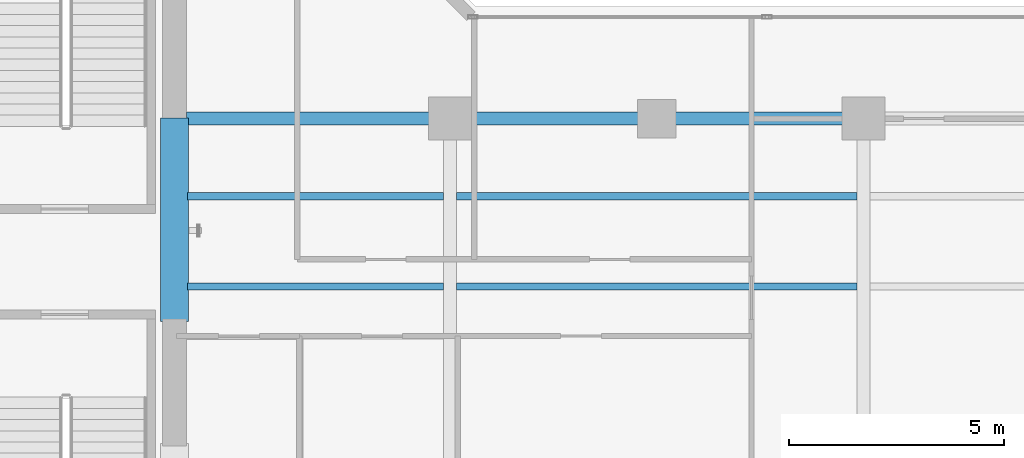
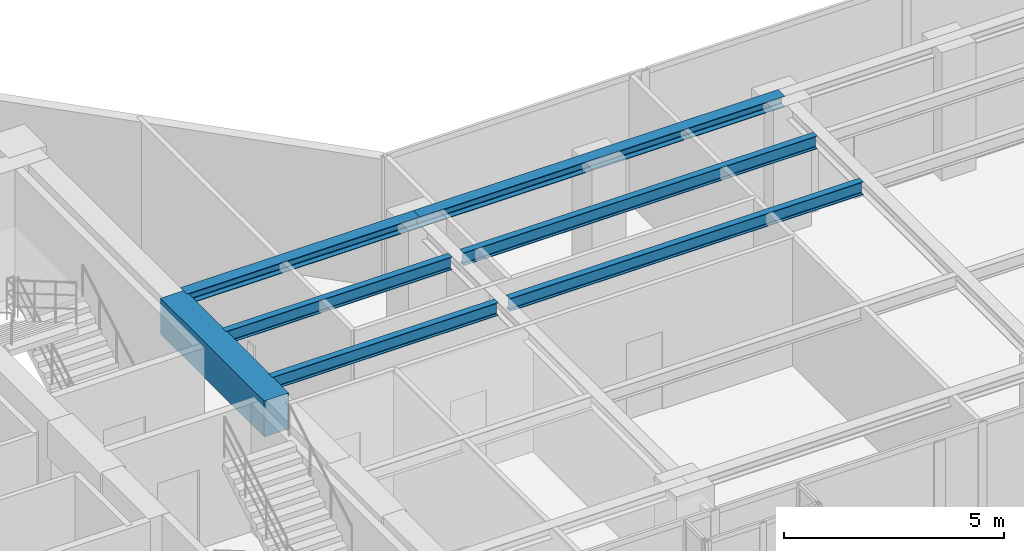
# One storey, part 6 of 23: 7 beams.
"""IFC4 building model written with IfcOpenShell, lengths in metres."""

from ifc_helpers import new_model, si_unit, direction, frame, origin, origin_2d, place, context, subcontext, project, spatial, rectangle, i_section, extrude, material, material_profile, profile_set, type_object, element, save


model = new_model("IFC4")

# Units and contexts
model_context = context("Model", 3, precision=1e-05, world=origin(), true_north=direction((0.0, 1.0)))
body_context = subcontext(model_context, "Body", "Model", "MODEL_VIEW")
ifc_project = project(units=[si_unit("LENGTHUNIT", "METRE"), si_unit("AREAUNIT", "SQUARE_METRE"), si_unit("VOLUMEUNIT", "CUBIC_METRE"), si_unit("PLANEANGLEUNIT", "RADIAN"), si_unit("MASSUNIT", "GRAM", prefix="KILO")], contexts=[model_context])

# Site, building, storey
site_placement = place(None, origin())
site = spatial("IfcSite", under=ifc_project, at=site_placement, CompositionType="ELEMENT")
building_placement = place(site_placement, origin())
building = spatial("IfcBuilding", under=site, at=building_placement, Name="Kolvaren Waterfront Exchange", CompositionType="ELEMENT")
storey_placement = place(building_placement, frame((0.0, 0.0, 231.10009765625)))
storey = spatial("IfcBuildingStorey", under=building, at=storey_placement, Name="L59", CompositionType="ELEMENT", Elevation=231.10009765625)

# Beams
ifc_material_1 = material(Name="Steel S355", Category="steel")
ifc_material_profile_1 = material_profile(ifc_material_1, i_section(OverallWidth=0.300048828125, OverallDepth=0.300048828125, WebThickness=0.010986328125, FlangeThickness=0.01904296875, FilletRadius=0.027099609375, at=origin_2d()), Name="HEB300")
ifc_profile_set_1 = profile_set([ifc_material_profile_1], Name="Steel S355")
beam_type_1 = type_object("IfcBeamType", Name="STR-BM-HEB300", PredefinedType="SPANDREL", material=ifc_profile_set_1)
beam_1_placement = place(storey_placement, frame((21.074951171875, 17.39990234375, 3.409912109375), z_axis=(1.0, 0.0, 0.0), x_axis=(0.0, 1.0, 0.0)))
element("IfcBeam", 1, at=beam_1_placement, inside=storey, type_object=beam_type_1, Name="L59 east-arm spandrel N1", PredefinedType="SPANDREL", context=body_context, shape_type="SweptSolid", body=[
    extrude(i_section(OverallWidth=0.300048828125, OverallDepth=0.300048828125, WebThickness=0.010986328125, FlangeThickness=0.01904296875, FilletRadius=0.027099609375, at=origin_2d()), origin(), (0.0, 0.0, 1.0), 6.125),
])
beam_2_placement = place(storey_placement, frame((27.199951171875, 17.39990234375, 3.409912109375), z_axis=(1.0, 0.0, 0.0), x_axis=(0.0, 1.0, 0.0)))
element("IfcBeam", 2, at=beam_2_placement, inside=storey, type_object=beam_type_1, Name="L59 east-arm spandrel N2", PredefinedType="SPANDREL", context=body_context, shape_type="SweptSolid", body=[
    extrude(i_section(OverallWidth=0.300048828125, OverallDepth=0.300048828125, WebThickness=0.010986328125, FlangeThickness=0.01904296875, FilletRadius=0.027099609375, at=origin_2d()), origin(), (0.0, 0.0, 1.0), 9.60009765625),
])
ifc_material_profile_2 = material_profile(ifc_material_1, i_section(OverallWidth=0.169921875, OverallDepth=0.360107421875, WebThickness=0.008056640625, FlangeThickness=0.0126953125, FilletRadius=0.01806640625, at=origin_2d()), Name="IPE360")
ifc_profile_set_2 = profile_set([ifc_material_profile_2], Name="Steel S355")
beam_type_2 = type_object("IfcBeamType", Name="STR-BM-IPE360", PredefinedType="JOIST", material=ifc_profile_set_2)
for number, where, z_axis, x_axis, name in (
    (3, (21.10009765625, 13.5, 3.3798828125), (1.0, 0.0, 0.0), (0.0, 1.0, 0.0), "L59 east-arm composite joist 1A"),
    (4, (21.10009765625, 15.60009765625, 3.3798828125), (1.0, 0.0, 0.0), (0.0, 1.0, 0.0), "L59 east-arm composite joist 1C"),
):
    element("IfcBeam", number, at=place(storey_placement, frame(where, z_axis=z_axis, x_axis=x_axis)), inside=storey, type_object=beam_type_2, Name=name, PredefinedType="JOIST", context=body_context, shape_type="SweptSolid", body=[
        extrude(i_section(OverallWidth=0.169921875, OverallDepth=0.360107421875, WebThickness=0.008056640625, FlangeThickness=0.0126953125, FilletRadius=0.01806640625, at=origin_2d()), origin(), (0.0, 0.0, 1.0), 5.947998046875),
    ])
for number, where, z_axis, x_axis, name in (
    (5, (27.35205078125, 13.5, 3.3798828125), (1.0, 0.0, 0.0), (0.0, 1.0, 0.0), "L59 east-arm composite joist 2A"),
    (6, (27.35205078125, 15.60009765625, 3.3798828125), (1.0, 0.0, 0.0), (0.0, 1.0, 0.0), "L59 east-arm composite joist 2C"),
):
    element("IfcBeam", number, at=place(storey_placement, frame(where, z_axis=z_axis, x_axis=x_axis)), inside=storey, type_object=beam_type_2, Name=name, PredefinedType="JOIST", context=body_context, shape_type="SweptSolid", body=[
        extrude(i_section(OverallWidth=0.169921875, OverallDepth=0.360107421875, WebThickness=0.008056640625, FlangeThickness=0.0126953125, FilletRadius=0.01806640625, at=origin_2d()), origin(), (0.0, 0.0, 1.0), 9.2958984375),
    ])
ifc_material_2 = material(Name="Concrete C60/75", Category="concrete")
ifc_material_profile_3 = material_profile(ifc_material_2, rectangle(XDim=0.64990234375, YDim=1.0, at=origin_2d()), Name="RC-CB-1000x650")
ifc_profile_set_3 = profile_set([ifc_material_profile_3], Name="Concrete C60/75")
beam_type_3 = type_object("IfcBeamType", Name="STR-CB-1000", PredefinedType="SPANDREL", material=ifc_profile_set_3)
beam_3_placement = place(storey_placement, frame((20.800048828125, 12.68994140625, 3.059814453125), z_axis=(0.0, 1.0, 0.0), x_axis=(-1.0, 0.0, 0.0)))
element("IfcBeam", 7, at=beam_3_placement, inside=storey, type_object=beam_type_3, Name="L59 core coupling beam 2", PredefinedType="SPANDREL", context=body_context, shape_type="SweptSolid", body=[
    extrude(rectangle(XDim=0.64990234375, YDim=1.0, at=origin_2d()), origin(), (0.0, 0.0, 1.0), 4.719970703125),
])

save(model, "model.ifc")
